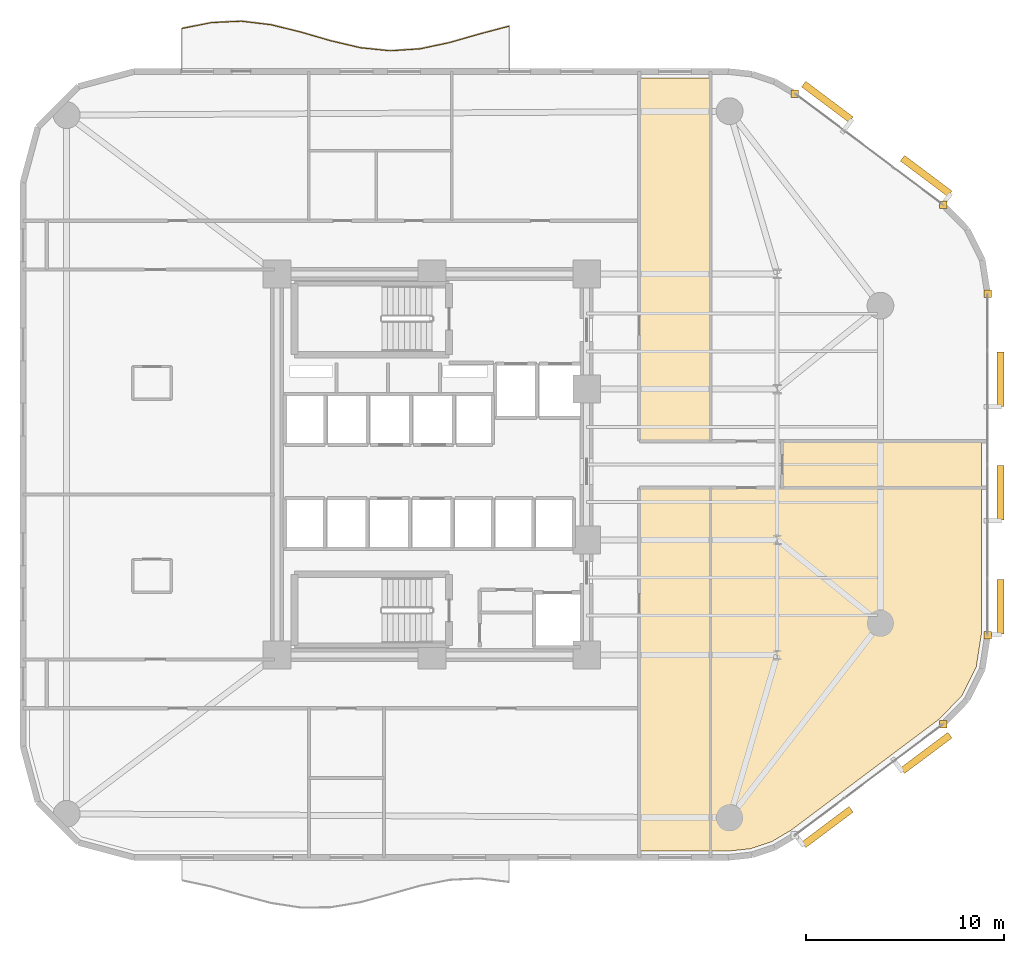
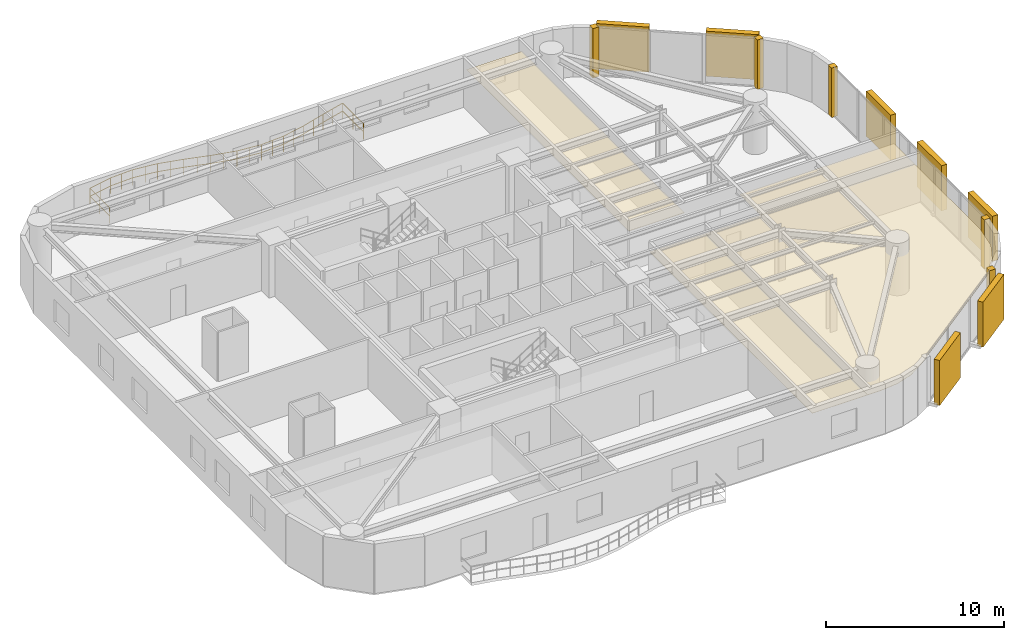
# One storey, part 15 of 15: 9 coverings, 7 shading devices, 1 railing.
"""IFC4 building model written with IfcOpenShell, lengths in metres."""

from ifc_helpers import new_model, si_unit, direction, frame, origin, origin_2d, place, context, subcontext, project, spatial, polyline, rectangle, circle, outline, extrude, material, layer, layer_set, type_object, element, save


model = new_model("IFC4")

# Units and contexts
model_context = context("Model", 3, precision=1e-05, world=origin(), true_north=direction((0.0, 1.0)))
body_context = subcontext(model_context, "Body", "Model", "MODEL_VIEW")
ifc_project = project(units=[si_unit("LENGTHUNIT", "METRE"), si_unit("AREAUNIT", "SQUARE_METRE"), si_unit("VOLUMEUNIT", "CUBIC_METRE"), si_unit("PLANEANGLEUNIT", "RADIAN"), si_unit("MASSUNIT", "GRAM", prefix="KILO")], contexts=[model_context])

# Site, building, storey
site_placement = place(None, origin())
site = spatial("IfcSite", under=ifc_project, at=site_placement, CompositionType="ELEMENT")
building_placement = place(site_placement, origin())
building = spatial("IfcBuilding", under=site, at=building_placement, Name="An Khanh Terracotta Commons", CompositionType="ELEMENT")
storey_placement = place(building_placement, frame((0.0, 0.0, 86.300048828125)))
storey = spatial("IfcBuildingStorey", under=building, at=storey_placement, Name="L22", CompositionType="ELEMENT", Elevation=86.300048828125)

# Coverings
ifc_material_1 = material(Name="Perforated Mineral-Fibre Acoustic Tile")
ifc_layer_1 = layer(ifc_material_1, 0.02001953125, Name="Perforated Mineral-Fibre Acoustic Tile")
ifc_layer_set_1 = layer_set([ifc_layer_1], Name="Perforated Mineral-Fibre Acoustic Tile")
covering_type_1 = type_object("IfcCoveringType", Name="CEIL-ACOUSTIC-18", PredefinedType="CEILING", material=ifc_layer_set_1)
covering_1_placement = place(storey_placement, frame((0.0, 0.0, 2.64990234375)))
element("IfcCovering", 1, at=covering_1_placement, inside=storey, type_object=covering_type_1, Name="L22 Student Reading Library Ceiling", PredefinedType="CEILING", context=body_context, shape_type="SweptSolid", body=[
    extrude(outline(polyline([(43.449951171875, 43.47998046875), (43.449951171875, 25.179931640625), (39.85009765625, 25.179931640625), (39.85009765625, 33.820068359375), (39.85009765625, 36.280029296875), (39.85009765625, 43.47998046875), (43.449951171875, 43.47998046875)])), origin(), (0.0, 0.0, 1.0), 0.02001953125),
])
covering_2_placement = place(storey_placement, frame((0.0, 0.0, 2.64990234375)))
element("IfcCovering", 2, at=covering_2_placement, inside=storey, type_object=covering_type_1, Name="L22 Games Lounge Ceiling", PredefinedType="CEILING", context=body_context, shape_type="SweptSolid", body=[
    extrude(outline(polyline([(39.85009765625, 4.52001953125), (39.85009765625, 11.719970703125), (39.85009765625, 14.179931640625), (39.85009765625, 22.820068359375), (43.449951171875, 22.820068359375), (43.449951171875, 4.52001953125), (39.85009765625, 4.52001953125)])), origin(), (0.0, 0.0, 1.0), 0.02001953125),
])
covering_3_placement = place(storey_placement, frame((0.0, 0.0, 2.64990234375)))
element("IfcCovering", 3, at=covering_3_placement, inside=storey, type_object=covering_type_1, Name="L22 Academic Seminar Room Ceiling", PredefinedType="CEILING", context=body_context, shape_type="SweptSolid", body=[
    extrude(outline(polyline([(57.080078125, 22.820068359375), (47.050048828125, 22.820068359375), (47.050048828125, 25.179931640625), (57.080078125, 25.179931640625), (57.080078125, 22.820068359375)])), origin(), (0.0, 0.0, 1.0), 0.02001953125),
])
covering_4_placement = place(storey_placement, frame((0.0, 0.0, 2.64990234375)))
element("IfcCovering", 4, at=covering_4_placement, inside=storey, type_object=covering_type_1, Name="L22 Riverfront Reading Hall Ceiling", PredefinedType="CEILING", context=body_context, shape_type="SweptSolid", body=[
    extrude(outline(polyline([(57.080078125, 15.425048828125), (56.825927734375, 13.7939453125), (56.10009765625, 12.342041015625), (54.947998046875, 11.160888671875), (47.514892578125, 5.5859375), (46.529052734375, 5.0), (45.45703125, 4.64208984375), (44.31591796875, 4.52001953125), (43.449951171875, 4.52001953125), (43.449951171875, 22.820068359375), (47.050048828125, 22.820068359375), (57.080078125, 22.820068359375), (57.080078125, 15.425048828125)])), origin(), (0.0, 0.0, 1.0), 0.02001953125),
])
ifc_material_2 = material(Name="Fired Terracotta Rainscreen Cladding", Category="masonry")
ifc_layer_2 = layer(ifc_material_2, 0.080078125, Name="Fired Terracotta Rainscreen Cladding")
ifc_layer_set_2 = layer_set([ifc_layer_2], Name="Fired Terracotta Rainscreen Cladding")
covering_type_2 = type_object("IfcCoveringType", Name="COV-JAMB-TERRA", PredefinedType="CLADDING", material=ifc_layer_set_2)
for number, where, z_axis, x_axis, name in (
    (5, (55.159912109375, 10.919921875, 0.0), (0.0, 0.0, 1.0), (1.0, 0.0, 0.0), "L22 CW-02 Curtain-Wall Jamb Closure JB"),
    (6, (57.39990234375, 15.39990234375, 0.0), (0.0, 0.0, 1.0), (1.0, 0.0, 0.0), "L22 CW-02 Curtain-Wall Jamb Closure JA"),
    (7, (57.39990234375, 32.60009765625, 0.0), (0.0, 0.0, 1.0), (1.0, 0.0, 0.0), "L22 CW-02 Curtain-Wall Jamb Closure JB"),
    (8, (55.159912109375, 37.080078125, 0.0), (0.0, 0.0, 1.0), (1.0, 0.0, 0.0), "L22 CW-02 Curtain-Wall Jamb Closure JA"),
    (9, (47.693115234375, 42.679931640625, 0.0), (0.0, 0.0, 1.0), (1.0, 0.0, 0.0), "L22 CW-02 Curtain-Wall Jamb Closure JB"),
):
    element("IfcCovering", number, at=place(storey_placement, frame(where, z_axis=z_axis, x_axis=x_axis)), inside=storey, type_object=covering_type_2, Name=name, PredefinedType="CLADDING", context=body_context, shape_type="SweptSolid", body=[
        extrude(rectangle(XDim=0.3798828125, YDim=0.3798828125, at=origin_2d()), origin(), (0.0, 0.0, 1.0), 3.39990234375),
    ])

# Railing
ifc_material_3 = material(Name="Brushed Stainless Steel 316", Category="steel")
railing_type = type_object("IfcRailingType", Name="RAIL-BALUSTRADE-1100", PredefinedType="BALUSTRADE", material=ifc_material_3)
railing_placement = place(storey_placement, frame((33.300048828125, 43.739990234375, 0.0)))
element("IfcRailing", 10, at=railing_placement, inside=storey, type_object=railing_type, Name="L22 N Wave Balcony Guard Balustrade", PredefinedType="BALUSTRADE", context=body_context, shape_type="SweptSolid", body=[
    extrude(circle(Radius=0.02392578125, at=origin_2d()), frame((0.0, 0.0, 1.076171875), z_axis=(0.0, 1.0, 0.0), x_axis=(-1.0, 0.0, 0.0)), (0.0, 0.0, 1.0), 2.344970703125),
    extrude(circle(Radius=0.02392578125, at=origin_2d()), frame((0.0, 0.0, 0.52587890625), z_axis=(0.0, 1.0, 0.0), x_axis=(-1.0, 0.0, 0.0)), (0.0, 0.0, 1.0), 2.344970703125),
    extrude(circle(Radius=0.02392578125, at=origin_2d()), frame((0.0, 2.344970703125, 1.076171875), z_axis=(-0.966718963822, -0.255840663277, 0.0), x_axis=(0.255840663277, -0.966718963822, 0.0)), (0.0, 0.0, 1.0), 1.5517578125),
    extrude(circle(Radius=0.02392578125, at=origin_2d()), frame((0.0, 2.344970703125, 0.52587890625), z_axis=(-0.966718963822, -0.255840663277, 0.0), x_axis=(0.255840663277, -0.966718963822, 0.0)), (0.0, 0.0, 1.0), 1.5517578125),
    extrude(circle(Radius=0.02392578125, at=origin_2d()), frame((-1.5, 1.947998046875, 1.076171875), z_axis=(-0.961293347262, -0.275526950607, 0.0), x_axis=(0.275526950607, -0.961293347262, 0.0)), (0.0, 0.0, 1.0), 1.560302734375),
    extrude(circle(Radius=0.02392578125, at=origin_2d()), frame((-1.5, 1.947998046875, 0.52587890625), z_axis=(-0.961293347262, -0.275526950607, 0.0), x_axis=(0.275526950607, -0.961293347262, 0.0)), (0.0, 0.0, 1.0), 1.560302734375),
    extrude(circle(Radius=0.02392578125, at=origin_2d()), frame((-3.0, 1.51806640625, 1.076171875), z_axis=(-0.978242938641, -0.207462654468, 0.0), x_axis=(0.207462654468, -0.978242938641, 0.0)), (0.0, 0.0, 1.0), 1.533447265625),
    extrude(circle(Radius=0.02392578125, at=origin_2d()), frame((-3.0, 1.51806640625, 0.52587890625), z_axis=(-0.978242938641, -0.207462654468, 0.0), x_axis=(0.207462654468, -0.978242938641, 0.0)), (0.0, 0.0, 1.0), 1.533447265625),
    extrude(circle(Radius=0.02392578125, at=origin_2d()), frame((-4.5, 1.199951171875, 1.076171875), z_axis=(-0.99787689467, -0.065128358523, 0.0), x_axis=(0.065128358523, -0.99787689467, 0.0)), (0.0, 0.0, 1.0), 1.503173828125),
    extrude(circle(Radius=0.02392578125, at=origin_2d()), frame((-4.5, 1.199951171875, 0.52587890625), z_axis=(-0.99787689467, -0.065128358523, 0.0), x_axis=(0.065128358523, -0.99787689467, 0.0)), (0.0, 0.0, 1.0), 1.503173828125),
    extrude(circle(Radius=0.02392578125, at=origin_2d()), frame((-6.0, 1.10205078125, 1.076171875), z_axis=(-0.994833141332, 0.101523499286, 0.0), x_axis=(-0.101523499286, -0.994833141332, 0.0)), (0.0, 0.0, 1.0), 1.5078125),
    extrude(circle(Radius=0.02392578125, at=origin_2d()), frame((-6.0, 1.10205078125, 0.52587890625), z_axis=(-0.994833141332, 0.101523499286, 0.0), x_axis=(-0.101523499286, -0.994833141332, 0.0)), (0.0, 0.0, 1.0), 1.5078125),
    extrude(circle(Radius=0.02392578125, at=origin_2d()), frame((-7.5, 1.255126953125, 1.076171875), z_axis=(-0.973263214687, 0.229692653206, 0.0), x_axis=(-0.229692653206, -0.973263214687, 0.0)), (0.0, 0.0, 1.0), 1.541259765625),
    extrude(circle(Radius=0.02392578125, at=origin_2d()), frame((-7.5, 1.255126953125, 0.52587890625), z_axis=(-0.973263214687, 0.229692653206, 0.0), x_axis=(-0.229692653206, -0.973263214687, 0.0)), (0.0, 0.0, 1.0), 1.541259765625),
    extrude(circle(Radius=0.02392578125, at=origin_2d()), frame((-9.0, 1.609130859375, 1.076171875), z_axis=(-0.960460913759, 0.278414857976, 0.0), x_axis=(-0.278414857976, -0.960460913759, 0.0)), (0.0, 0.0, 1.0), 1.561767578125),
    extrude(circle(Radius=0.02392578125, at=origin_2d()), frame((-9.0, 1.609130859375, 0.52587890625), z_axis=(-0.960460913759, 0.278414857976, 0.0), x_axis=(-0.278414857976, -0.960460913759, 0.0)), (0.0, 0.0, 1.0), 1.561767578125),
    extrude(circle(Radius=0.02392578125, at=origin_2d()), frame((-10.5, 2.0439453125, 1.076171875), z_axis=(-0.970881568768, 0.239559970419, 0.0), x_axis=(-0.239559970419, -0.970881568768, 0.0)), (0.0, 0.0, 1.0), 1.544921875),
    extrude(circle(Radius=0.02392578125, at=origin_2d()), frame((-10.5, 2.0439453125, 0.52587890625), z_axis=(-0.970881568768, 0.239559970419, 0.0), x_axis=(-0.239559970419, -0.970881568768, 0.0)), (0.0, 0.0, 1.0), 1.544921875),
    extrude(circle(Radius=0.02392578125, at=origin_2d()), frame((-12.0, 2.4140625, 1.076171875), z_axis=(-0.99288219023, 0.11910061429, 0.0), x_axis=(-0.11910061429, -0.99288219023, 0.0)), (0.0, 0.0, 1.0), 1.5107421875),
    extrude(circle(Radius=0.02392578125, at=origin_2d()), frame((-12.0, 2.4140625, 0.52587890625), z_axis=(-0.99288219023, 0.11910061429, 0.0), x_axis=(-0.11910061429, -0.99288219023, 0.0)), (0.0, 0.0, 1.0), 1.5107421875),
    extrude(circle(Radius=0.02392578125, at=origin_2d()), frame((-13.5, 2.593994140625, 1.076171875), z_axis=(-0.998880243389, -0.047310245903, 0.0), x_axis=(0.047310245903, -0.998880243389, 0.0)), (0.0, 0.0, 1.0), 1.501708984375),
    extrude(circle(Radius=0.02392578125, at=origin_2d()), frame((-13.5, 2.593994140625, 0.52587890625), z_axis=(-0.998880243389, -0.047310245903, 0.0), x_axis=(0.047310245903, -0.998880243389, 0.0)), (0.0, 0.0, 1.0), 1.501708984375),
    extrude(circle(Radius=0.02392578125, at=origin_2d()), frame((-15.0, 2.52294921875, 1.076171875), z_axis=(-0.980849911242, -0.194765119094, 0.0), x_axis=(0.194765119094, -0.980849911242, 0.0)), (0.0, 0.0, 1.0), 1.529296875),
    extrude(circle(Radius=0.02392578125, at=origin_2d()), frame((-15.0, 2.52294921875, 0.52587890625), z_axis=(-0.980849911242, -0.194765119094, 0.0), x_axis=(0.194765119094, -0.980849911242, 0.0)), (0.0, 0.0, 1.0), 1.529296875),
    extrude(circle(Radius=0.02392578125, at=origin_2d()), frame((-16.5, 2.22509765625, 1.076171875), z_axis=(0.0, -1.0, 0.0), x_axis=(1.0, 0.0, 0.0)), (0.0, 0.0, 1.0), 2.22509765625),
    extrude(circle(Radius=0.02392578125, at=origin_2d()), frame((-16.5, 2.22509765625, 0.52587890625), z_axis=(0.0, -1.0, 0.0), x_axis=(1.0, 0.0, 0.0)), (0.0, 0.0, 1.0), 2.22509765625),
    extrude(circle(Radius=0.02099609375, at=origin_2d()), origin(), (0.0, 0.0, 1.0), 1.052001953125),
    extrude(circle(Radius=0.02099609375, at=origin_2d()), frame((0.0, 1.17236328125, 0.0)), (0.0, 0.0, 1.0), 1.052001953125),
    extrude(circle(Radius=0.02099609375, at=origin_2d()), frame((0.0, 2.344970703125, 0.0)), (0.0, 0.0, 1.0), 1.052001953125),
    extrude(circle(Radius=0.02099609375, at=origin_2d()), frame((-0.75, 2.146484375, 0.0)), (0.0, 0.0, 1.0), 1.052001953125),
    extrude(circle(Radius=0.02099609375, at=origin_2d()), frame((-1.5, 1.947998046875, 0.0)), (0.0, 0.0, 1.0), 1.052001953125),
    extrude(circle(Radius=0.02099609375, at=origin_2d()), frame((-2.25, 1.73291015625, 0.0)), (0.0, 0.0, 1.0), 1.052001953125),
    extrude(circle(Radius=0.02099609375, at=origin_2d()), frame((-3.0, 1.51806640625, 0.0)), (0.0, 0.0, 1.0), 1.052001953125),
    extrude(circle(Radius=0.02099609375, at=origin_2d()), frame((-3.75, 1.35888671875, 0.0)), (0.0, 0.0, 1.0), 1.052001953125),
    extrude(circle(Radius=0.02099609375, at=origin_2d()), frame((-4.5, 1.199951171875, 0.0)), (0.0, 0.0, 1.0), 1.052001953125),
    extrude(circle(Radius=0.02099609375, at=origin_2d()), frame((-5.25, 1.15087890625, 0.0)), (0.0, 0.0, 1.0), 1.052001953125),
    extrude(circle(Radius=0.02099609375, at=origin_2d()), frame((-6.0, 1.10205078125, 0.0)), (0.0, 0.0, 1.0), 1.052001953125),
    extrude(circle(Radius=0.02099609375, at=origin_2d()), frame((-6.75, 1.1787109375, 0.0)), (0.0, 0.0, 1.0), 1.052001953125),
    extrude(circle(Radius=0.02099609375, at=origin_2d()), frame((-7.5, 1.255126953125, 0.0)), (0.0, 0.0, 1.0), 1.052001953125),
    extrude(circle(Radius=0.02099609375, at=origin_2d()), frame((-8.25, 1.43212890625, 0.0)), (0.0, 0.0, 1.0), 1.052001953125),
    extrude(circle(Radius=0.02099609375, at=origin_2d()), frame((-9.0, 1.609130859375, 0.0)), (0.0, 0.0, 1.0), 1.052001953125),
    extrude(circle(Radius=0.02099609375, at=origin_2d()), frame((-9.75, 1.82666015625, 0.0)), (0.0, 0.0, 1.0), 1.052001953125),
    extrude(circle(Radius=0.02099609375, at=origin_2d()), frame((-10.5, 2.0439453125, 0.0)), (0.0, 0.0, 1.0), 1.052001953125),
    extrude(circle(Radius=0.02099609375, at=origin_2d()), frame((-11.25, 2.22900390625, 0.0)), (0.0, 0.0, 1.0), 1.052001953125),
    extrude(circle(Radius=0.02099609375, at=origin_2d()), frame((-12.0, 2.4140625, 0.0)), (0.0, 0.0, 1.0), 1.052001953125),
    extrude(circle(Radius=0.02099609375, at=origin_2d()), frame((-12.75, 2.50390625, 0.0)), (0.0, 0.0, 1.0), 1.052001953125),
    extrude(circle(Radius=0.02099609375, at=origin_2d()), frame((-13.5, 2.593994140625, 0.0)), (0.0, 0.0, 1.0), 1.052001953125),
    extrude(circle(Radius=0.02099609375, at=origin_2d()), frame((-14.25, 2.55859375, 0.0)), (0.0, 0.0, 1.0), 1.052001953125),
    extrude(circle(Radius=0.02099609375, at=origin_2d()), frame((-15.0, 2.52294921875, 0.0)), (0.0, 0.0, 1.0), 1.052001953125),
    extrude(circle(Radius=0.02099609375, at=origin_2d()), frame((-15.75, 2.3740234375, 0.0)), (0.0, 0.0, 1.0), 1.052001953125),
    extrude(circle(Radius=0.02099609375, at=origin_2d()), frame((-16.5, 2.22509765625, 0.0)), (0.0, 0.0, 1.0), 1.052001953125),
    extrude(circle(Radius=0.02099609375, at=origin_2d()), frame((-16.5, 1.112548828125, 0.0)), (0.0, 0.0, 1.0), 1.052001953125),
    extrude(circle(Radius=0.02099609375, at=origin_2d()), frame((-16.5, 0.0, 0.0)), (0.0, 0.0, 1.0), 1.052001953125),
])

# Shading devices
ifc_material_4 = material(Name="Extruded Fired Terracotta", Category="masonry")
shading_device_type = type_object("IfcShadingDeviceType", Name="Terracotta Baguette Screen Assembly", PredefinedType="USERDEFINED", material=ifc_material_4)
for number, where, z_axis, x_axis, name in (
    (11, (49.326904296875, 5.73291015625, 0.14990234375), (0.0, 0.0, 1.0), (0.800012856594, 0.599982857492, 0.0), "L22 Terracotta Baguette Screen 1"),
    (12, (54.304931640625, 9.467041015625, 0.14990234375), (0.0, 0.0, 1.0), (0.800012856594, 0.599982857492, 0.0), "L22 Terracotta Baguette Screen 3"),
):
    element("IfcShadingDevice", number, at=place(storey_placement, frame(where, z_axis=z_axis, x_axis=x_axis)), inside=storey, type_object=shading_device_type, Name=name, ObjectType="BAGUETTE", PredefinedType="USERDEFINED", context=body_context, shape_type="SweptSolid", body=[
        extrude(rectangle(XDim=2.990966796875, YDim=0.35009765625, at=origin_2d()), origin(), (0.0, 0.0, 1.0), 3.10009765625),
    ])
for number, where, z_axis, x_axis, name in (
    (13, (58.050048828125, 16.8330078125, 0.14990234375), (0.0, 0.0, 1.0), (0.0, 1.0, 0.0), "L22 Terracotta Baguette Screen 1"),
    (14, (58.050048828125, 22.56689453125, 0.14990234375), (0.0, 0.0, 1.0), (0.0, 1.0, 0.0), "L22 Terracotta Baguette Screen 3"),
    (15, (58.050048828125, 28.300048828125, 0.14990234375), (0.0, 0.0, 1.0), (0.0, 1.0, 0.0), "L22 Terracotta Baguette Screen 5"),
):
    element("IfcShadingDevice", number, at=place(storey_placement, frame(where, z_axis=z_axis, x_axis=x_axis)), inside=storey, type_object=shading_device_type, Name=name, ObjectType="BAGUETTE", PredefinedType="USERDEFINED", context=body_context, shape_type="SweptSolid", body=[
        extrude(rectangle(XDim=2.7470703125, YDim=0.35009765625, at=origin_2d()), origin(), (0.0, 0.0, 1.0), 3.10009765625),
    ])
for number, where, z_axis, x_axis, name in (
    (16, (54.304931640625, 38.532958984375, 0.14990234375), (0.0, 0.0, 1.0), (-0.800012856594, 0.599982857492, 0.0), "L22 Terracotta Baguette Screen 1"),
    (17, (49.326904296875, 42.26708984375, 0.14990234375), (0.0, 0.0, 1.0), (-0.800012856594, 0.599982857492, 0.0), "L22 Terracotta Baguette Screen 3"),
):
    element("IfcShadingDevice", number, at=place(storey_placement, frame(where, z_axis=z_axis, x_axis=x_axis)), inside=storey, type_object=shading_device_type, Name=name, ObjectType="BAGUETTE", PredefinedType="USERDEFINED", context=body_context, shape_type="SweptSolid", body=[
        extrude(rectangle(XDim=2.990966796875, YDim=0.35009765625, at=origin_2d()), origin(), (0.0, 0.0, 1.0), 3.10009765625),
    ])

save(model, "model.ifc")
